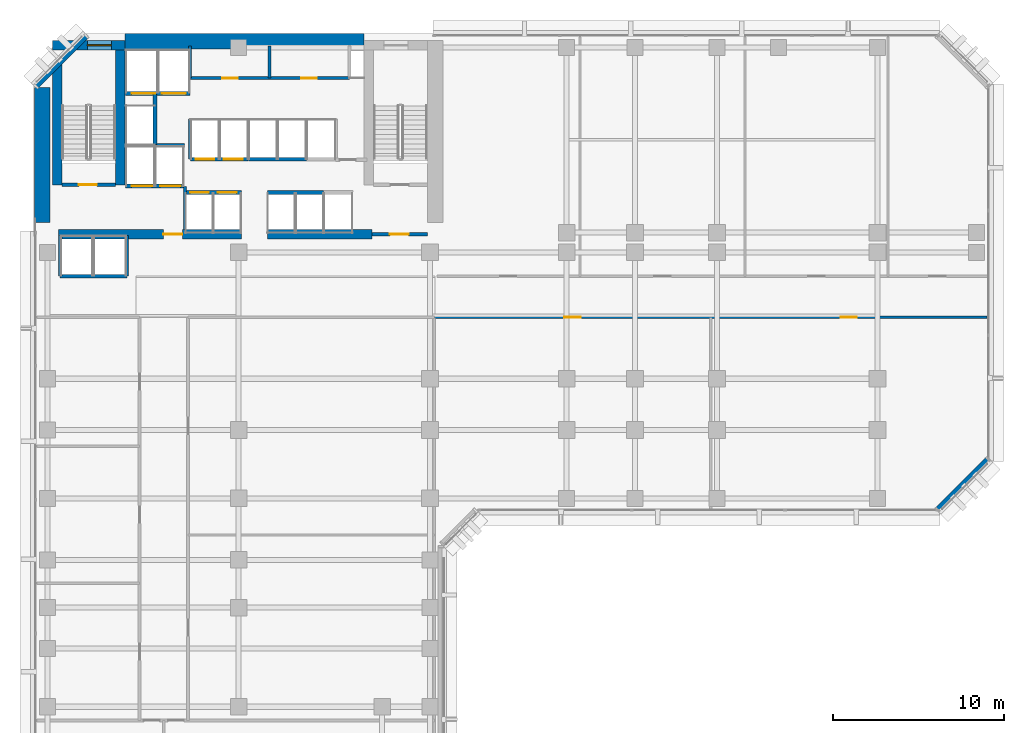
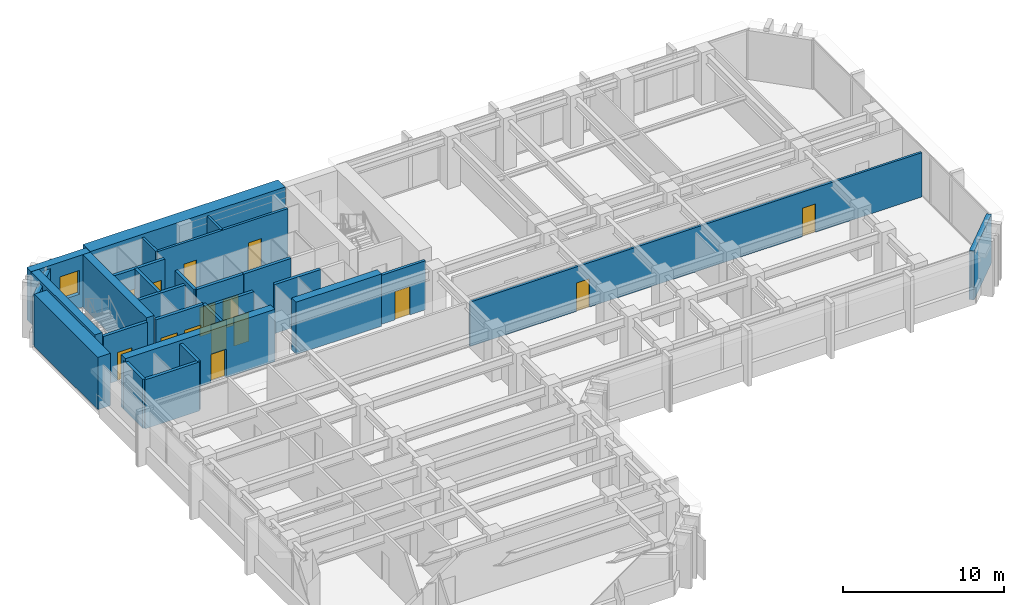
# One storey, part 7 of 13: 28 walls, 15 doors, 1 window, 16 openings.
"""IFC4 building model written with IfcOpenShell, lengths in metres."""

from ifc_helpers import new_model, si_unit, direction, frame, frame_2d, origin, place, context, subcontext, project, spatial, rectangle, extrude, material, layer, layer_set, type_object, element, fill, save


model = new_model("IFC4")

# Units and contexts
model_context = context("Model", 3, precision=1e-05, world=origin(), true_north=direction((0.0, 1.0)))
body_context = subcontext(model_context, "Body", "Model", "MODEL_VIEW")
ifc_project = project(units=[si_unit("LENGTHUNIT", "METRE"), si_unit("AREAUNIT", "SQUARE_METRE"), si_unit("VOLUMEUNIT", "CUBIC_METRE"), si_unit("PLANEANGLEUNIT", "RADIAN"), si_unit("MASSUNIT", "GRAM", prefix="KILO")], contexts=[model_context])

# Site, building, storey
site_placement = place(None, origin())
site = spatial("IfcSite", under=ifc_project, at=site_placement, CompositionType="ELEMENT")
building_placement = place(site_placement, origin())
building = spatial("IfcBuilding", under=site, at=building_placement, Name="Kefirva Bronze Tower", CompositionType="ELEMENT")
storey_placement = place(building_placement, frame((0.0, 0.0, 46.199951171875)))
storey = spatial("IfcBuildingStorey", under=building, at=storey_placement, Name="L10", CompositionType="ELEMENT", Elevation=46.199951171875)

# Wall, opening, door
ifc_material_1 = material(Name="Gypsum fireboard shaftwall")
ifc_layer_1 = layer(ifc_material_1, 0.219970703125, Name="Gypsum fireboard shaftwall")
ifc_layer_set_1 = layer_set([ifc_layer_1], Name="Gypsum fireboard shaftwall")
wall_type_1 = type_object("IfcWallType", Name="Fire-Rated Shaft Enclosure Wall 220mm", PredefinedType="PARTITIONING", material=ifc_layer_set_1)
wall_1_placement = place(storey_placement, frame((1.64990234375, 37.14990234375, 0.0), z_axis=(0.0, 0.0, 1.0), x_axis=(1.0, 0.0, 0.0)))
wall_1 = element("IfcWall", 1, at=wall_1_placement, inside=storey, type_object=wall_type_1, Name="L10 Partition W-L10-ST1S", PredefinedType="PARTITIONING", context=body_context, shape_type="SweptSolid", body=[
    extrude(rectangle(XDim=3.150146484375, YDim=0.219970703125, at=frame_2d((1.5751953125, 0.0))), origin(), (0.0, 0.0, 1.0), 3.7099609375),
])
opening_1_placement = place(wall_1_placement, frame((2.050048828125, 0.0, 0.0), z_axis=(0.0, 0.0, 1.0), x_axis=(-1.0, 0.0, 0.0)))
opening_1 = element("IfcOpeningElement", 2, at=opening_1_placement, cuts=wall_1, Name="Opening L10-D001", PredefinedType="OPENING", context=body_context, shape_type="SweptSolid", body=[
    extrude(rectangle(XDim=1.050048828125, YDim=2.14990234375, at=frame_2d((0.52490234375, 1.074951171875))), frame((0.0, 0.1201171875, 0.0), z_axis=(0.0, -1.0, 0.0), x_axis=(1.0, 0.0, 0.0)), (0.0, 0.0, 1.0), 0.239990234375),
])
ifc_material_2 = material(Name="Painted galvanized steel", Category="steel")
door_type_1 = type_object("IfcDoorType", Name="Fire Stair Enclosure Door 1050x2150 FD90S", OperationType="NOTDEFINED", PredefinedType="DOOR", material=ifc_material_2)
door_1_placement = place(opening_1_placement, origin())
door_1 = element("IfcDoor", 3, at=door_1_placement, inside=storey, type_object=door_type_1, Name="Door L10-D001", OperationType="SINGLE_SWING_RIGHT", OverallHeight=2.14990234375, OverallWidth=1.050048828125, PredefinedType="DOOR", context=body_context, shape_type="SweptSolid", body=[
    extrude(rectangle(XDim=1.050048828125, YDim=2.14990234375, at=frame_2d((0.52490234375, 1.074951171875))), frame((0.0, 0.02490234375, 0.0), z_axis=(0.0, -1.0, 0.0), x_axis=(1.0, 0.0, 0.0)), (0.0, 0.0, 1.0), 0.050048828125),
])
fill(opening_1, door_1)

# Wall, openings, doors
wall_2_placement = place(storey_placement, frame((5.3798828125, 37.080078125, 0.0), z_axis=(0.0, 0.0, 1.0), x_axis=(1.0, 0.0, 0.0)))
wall_2 = element("IfcWall", 4, at=wall_2_placement, inside=storey, type_object=wall_type_1, Name="L10 Partition W-L10-FFS", PredefinedType="PARTITIONING", context=body_context, shape_type="SweptSolid", body=[
    extrude(rectangle(XDim=3.460205078125, YDim=0.219970703125, at=frame_2d((1.72998046875, 0.0))), origin(), (0.0, 0.0, 1.0), 3.7099609375),
])
opening_2_placement = place(wall_2_placement, frame((1.550048828125, 0.0, 0.0), z_axis=(0.0, 0.0, 1.0), x_axis=(-1.0, 0.0, 0.0)))
opening_2 = element("IfcOpeningElement", 5, at=opening_2_placement, cuts=wall_2, Name="Opening L10-LD-FF1", PredefinedType="OPENING", context=body_context, shape_type="SweptSolid", body=[
    extrude(rectangle(XDim=1.199951171875, YDim=2.199951171875, at=frame_2d((0.60009765625, 1.10009765625))), frame((0.0, 0.1201171875, 0.0), z_axis=(0.0, -1.0, 0.0), x_axis=(1.0, 0.0, 0.0)), (0.0, 0.0, 1.0), 0.239990234375),
])
opening_3_placement = place(wall_2_placement, frame((3.219970703125, 0.0, 0.0), z_axis=(0.0, 0.0, 1.0), x_axis=(-1.0, 0.0, 0.0)))
opening_3 = element("IfcOpeningElement", 6, at=opening_3_placement, cuts=wall_2, Name="Opening L10-LD-FF2", PredefinedType="OPENING", context=body_context, shape_type="SweptSolid", body=[
    extrude(rectangle(XDim=1.199951171875, YDim=2.199951171875, at=frame_2d((0.60009765625, 1.10009765625))), frame((0.0, 0.1201171875, 0.0), z_axis=(0.0, -1.0, 0.0), x_axis=(1.0, 0.0, 0.0)), (0.0, 0.0, 1.0), 0.239990234375),
])
ifc_material_3 = material(Name="Stainless steel 316", Category="steel")
door_type_2 = type_object("IfcDoorType", Name="Firefighting Lift Sliding Door 1200x2200", OperationType="SLIDING_TO_RIGHT", PredefinedType="DOOR", material=ifc_material_3)
door_2_placement = place(opening_2_placement, origin())
door_2 = element("IfcDoor", 7, at=door_2_placement, inside=storey, type_object=door_type_2, Name="Door L10-LD-FF1", OperationType="SLIDING_TO_RIGHT", OverallHeight=2.199951171875, OverallWidth=1.199951171875, PredefinedType="DOOR", context=body_context, shape_type="SweptSolid", body=[
    extrude(rectangle(XDim=1.199951171875, YDim=2.199951171875, at=frame_2d((0.60009765625, 1.10009765625))), frame((0.0, 0.02490234375, 0.0), z_axis=(0.0, -1.0, 0.0), x_axis=(1.0, 0.0, 0.0)), (0.0, 0.0, 1.0), 0.050048828125),
])
fill(opening_2, door_2)
door_3_placement = place(opening_3_placement, origin())
door_3 = element("IfcDoor", 8, at=door_3_placement, inside=storey, type_object=door_type_2, Name="Door L10-LD-FF2", OperationType="SLIDING_TO_RIGHT", OverallHeight=2.199951171875, OverallWidth=1.199951171875, PredefinedType="DOOR", context=body_context, shape_type="SweptSolid", body=[
    extrude(rectangle(XDim=1.199951171875, YDim=2.199951171875, at=frame_2d((0.60009765625, 1.10009765625))), frame((0.0, 0.02490234375, 0.0), z_axis=(0.0, -1.0, 0.0), x_axis=(1.0, 0.0, 0.0)), (0.0, 0.0, 1.0), 0.050048828125),
])
fill(opening_3, door_3)

# Wall
wall_3_placement = place(storey_placement, frame((5.3798828125, 39.449951171875, 0.0), z_axis=(0.0, 0.0, 1.0), x_axis=(1.0, 0.0, 0.0)))
element("IfcWall", 9, at=wall_3_placement, inside=storey, type_object=wall_type_1, Name="L10 Partition W-L10-FFN", PredefinedType="PARTITIONING", context=body_context, shape_type="SweptSolid", body=[
    extrude(rectangle(XDim=3.460205078125, YDim=0.219970703125, at=frame_2d((1.72998046875, 0.0))), origin(), (0.0, 0.0, 1.0), 3.7099609375),
])

# Wall, openings, doors
wall_4_placement = place(storey_placement, frame((5.3798828125, 42.5, 0.0), z_axis=(0.0, 0.0, 1.0), x_axis=(1.0, 0.0, 0.0)))
wall_4 = element("IfcWall", 10, at=wall_4_placement, inside=storey, type_object=wall_type_1, Name="L10 Partition W-L10-SVS", PredefinedType="PARTITIONING", context=body_context, shape_type="SweptSolid", body=[
    extrude(rectangle(XDim=3.77001953125, YDim=0.219970703125, at=frame_2d((1.885009765625, 0.0))), origin(), (0.0, 0.0, 1.0), 3.7099609375),
])
opening_4_placement = place(wall_4_placement, frame((1.75, 0.0, 0.0), z_axis=(0.0, 0.0, 1.0), x_axis=(-1.0, 0.0, 0.0)))
opening_4 = element("IfcOpeningElement", 11, at=opening_4_placement, cuts=wall_4, Name="Opening L10-LD-SV1", PredefinedType="OPENING", context=body_context, shape_type="SweptSolid", body=[
    extrude(rectangle(XDim=1.39990234375, YDim=2.199951171875, at=frame_2d((0.699951171875, 1.10009765625))), frame((0.0, 0.1201171875, 0.0), z_axis=(0.0, -1.0, 0.0), x_axis=(1.0, 0.0, 0.0)), (0.0, 0.0, 1.0), 0.239990234375),
])
opening_5_placement = place(wall_4_placement, frame((3.52978515625, 0.0, 0.0), z_axis=(0.0, 0.0, 1.0), x_axis=(-1.0, 0.0, 0.0)))
opening_5 = element("IfcOpeningElement", 12, at=opening_5_placement, cuts=wall_4, Name="Opening L10-LD-SV2", PredefinedType="OPENING", context=body_context, shape_type="SweptSolid", body=[
    extrude(rectangle(XDim=1.39990234375, YDim=2.199951171875, at=frame_2d((0.699951171875, 1.10009765625))), frame((0.0, 0.1201171875, 0.0), z_axis=(0.0, -1.0, 0.0), x_axis=(1.0, 0.0, 0.0)), (0.0, 0.0, 1.0), 0.239990234375),
])
door_type_3 = type_object("IfcDoorType", Name="Goods Lift Bi-Parting Sliding Door 1400x2200", OperationType="SLIDING_TO_LEFT", PredefinedType="DOOR", material=ifc_material_3)
door_4_placement = place(opening_4_placement, origin())
door_4 = element("IfcDoor", 13, at=door_4_placement, inside=storey, type_object=door_type_3, Name="Door L10-LD-SV1", OperationType="SLIDING_TO_LEFT", OverallHeight=2.199951171875, OverallWidth=1.39990234375, PredefinedType="DOOR", context=body_context, shape_type="SweptSolid", body=[
    extrude(rectangle(XDim=1.39990234375, YDim=2.199951171875, at=frame_2d((0.699951171875, 1.10009765625))), frame((0.0, 0.02490234375, 0.0), z_axis=(0.0, -1.0, 0.0), x_axis=(1.0, 0.0, 0.0)), (0.0, 0.0, 1.0), 0.050048828125),
])
fill(opening_4, door_4)
door_5_placement = place(opening_5_placement, origin())
door_5 = element("IfcDoor", 14, at=door_5_placement, inside=storey, type_object=door_type_3, Name="Door L10-LD-SV2", OperationType="SLIDING_TO_LEFT", OverallHeight=2.199951171875, OverallWidth=1.39990234375, PredefinedType="DOOR", context=body_context, shape_type="SweptSolid", body=[
    extrude(rectangle(XDim=1.39990234375, YDim=2.199951171875, at=frame_2d((0.699951171875, 1.10009765625))), frame((0.0, 0.02490234375, 0.0), z_axis=(0.0, -1.0, 0.0), x_axis=(1.0, 0.0, 0.0)), (0.0, 0.0, 1.0), 0.050048828125),
])
fill(opening_5, door_5)

# Walls
wall_5_placement = place(storey_placement, frame((7.10009765625, 39.52001953125, 0.0), z_axis=(0.0, 0.0, 1.0), x_axis=(0.0, 1.0, 0.0)))
element("IfcWall", 15, at=wall_5_placement, inside=storey, type_object=wall_type_1, Name="L10 Partition W-L10-HP3E", PredefinedType="PARTITIONING", context=body_context, shape_type="SweptSolid", body=[
    extrude(rectangle(XDim=2.929931640625, YDim=0.219970703125, at=frame_2d((1.46484375, 0.0))), origin(), (0.0, 0.0, 1.0), 3.7099609375),
])
wall_6_placement = place(storey_placement, frame((1.550048828125, 31.800048828125, 0.0), z_axis=(0.0, 0.0, 1.0), x_axis=(1.0, 0.0, 0.0)))
element("IfcWall", 16, at=wall_6_placement, inside=storey, type_object=wall_type_1, Name="L10 Partition W-L10-OBS", PredefinedType="PARTITIONING", context=body_context, shape_type="SweptSolid", body=[
    extrude(rectangle(XDim=3.89990234375, YDim=0.219970703125, at=frame_2d((1.949951171875, 0.0))), origin(), (0.0, 0.0, 1.0), 3.7099609375),
])
for number, where, z_axis, x_axis, name in (
    (17, (1.550048828125, 31.800048828125, 0.0), (0.0, 0.0, 1.0), (0.0, 1.0, 0.0), "L10 Partition W-L10-OBW"),
    (18, (5.449951171875, 31.800048828125, 0.0), (0.0, 0.0, 1.0), (0.0, 1.0, 0.0), "L10 Partition W-L10-OBE"),
):
    element("IfcWall", number, at=place(storey_placement, frame(where, z_axis=z_axis, x_axis=x_axis)), inside=storey, type_object=wall_type_1, Name=name, PredefinedType="PARTITIONING", context=body_context, shape_type="SweptSolid", body=[
        extrude(rectangle(XDim=2.3798828125, YDim=0.219970703125, at=frame_2d((1.18994140625, 0.0))), origin(), (0.0, 0.0, 1.0), 3.7099609375),
    ])
wall_7_placement = place(storey_placement, frame((9.159912109375, 38.64990234375, 0.0), z_axis=(0.0, 0.0, 1.0), x_axis=(0.0, 1.0, 0.0)))
element("IfcWall", 19, at=wall_7_placement, inside=storey, type_object=wall_type_1, Name="L10 Partition W-L10-LP3W", PredefinedType="PARTITIONING", context=body_context, shape_type="SweptSolid", body=[
    extrude(rectangle(XDim=2.35009765625, YDim=0.199951171875, at=frame_2d((1.175048828125, 0.0))), origin(), (0.0, 0.0, 1.0), 3.7099609375),
])

# Wall, openings, doors
wall_8_placement = place(storey_placement, frame((8.89990234375, 36.699951171875, 0.0), z_axis=(0.0, 0.0, 1.0), x_axis=(1.0, 0.0, 0.0)))
wall_8 = element("IfcWall", 20, at=wall_8_placement, inside=storey, type_object=wall_type_1, Name="L10 Partition W-L10-LPS", PredefinedType="PARTITIONING", context=body_context, shape_type="SweptSolid", body=[
    extrude(rectangle(XDim=3.260009765625, YDim=0.219970703125, at=frame_2d((1.6298828125, 0.0))), origin(), (0.0, 0.0, 1.0), 3.7099609375),
])
opening_6_placement = place(wall_8_placement, frame((0.260009765625, 0.0, 0.0)))
opening_6 = element("IfcOpeningElement", 21, at=opening_6_placement, cuts=wall_8, Name="Opening L10-LD-LP1", PredefinedType="OPENING", context=body_context, shape_type="SweptSolid", body=[
    extrude(rectangle(XDim=1.10009765625, YDim=2.199951171875, at=frame_2d((0.550048828125, 1.10009765625))), frame((0.0, 0.1201171875, 0.0), z_axis=(0.0, -1.0, 0.0), x_axis=(1.0, 0.0, 0.0)), (0.0, 0.0, 1.0), 0.239990234375),
])
opening_7_placement = place(wall_8_placement, frame((1.8798828125, 0.0, 0.0)))
opening_7 = element("IfcOpeningElement", 22, at=opening_7_placement, cuts=wall_8, Name="Opening L10-LD-LP2", PredefinedType="OPENING", context=body_context, shape_type="SweptSolid", body=[
    extrude(rectangle(XDim=1.10009765625, YDim=2.199951171875, at=frame_2d((0.550048828125, 1.10009765625))), frame((0.0, 0.1201171875, 0.0), z_axis=(0.0, -1.0, 0.0), x_axis=(1.0, 0.0, 0.0)), (0.0, 0.0, 1.0), 0.239990234375),
])
door_type_4 = type_object("IfcDoorType", Name="Passenger Lift Sliding Landing Door 1100x2200", OperationType="SLIDING_TO_LEFT", PredefinedType="DOOR", material=ifc_material_3)
door_6_placement = place(opening_6_placement, origin())
door_6 = element("IfcDoor", 23, at=door_6_placement, inside=storey, type_object=door_type_4, Name="Door L10-LD-LP1", OperationType="SLIDING_TO_LEFT", OverallHeight=2.199951171875, OverallWidth=1.10009765625, PredefinedType="DOOR", context=body_context, shape_type="SweptSolid", body=[
    extrude(rectangle(XDim=1.10009765625, YDim=2.199951171875, at=frame_2d((0.550048828125, 1.10009765625))), frame((0.0, 0.02490234375, 0.0), z_axis=(0.0, -1.0, 0.0), x_axis=(1.0, 0.0, 0.0)), (0.0, 0.0, 1.0), 0.050048828125),
])
fill(opening_6, door_6)
door_7_placement = place(opening_7_placement, origin())
door_7 = element("IfcDoor", 24, at=door_7_placement, inside=storey, type_object=door_type_4, Name="Door L10-LD-LP2", OperationType="SLIDING_TO_LEFT", OverallHeight=2.199951171875, OverallWidth=1.10009765625, PredefinedType="DOOR", context=body_context, shape_type="SweptSolid", body=[
    extrude(rectangle(XDim=1.10009765625, YDim=2.199951171875, at=frame_2d((0.550048828125, 1.10009765625))), frame((0.0, 0.02490234375, 0.0), z_axis=(0.0, -1.0, 0.0), x_axis=(1.0, 0.0, 0.0)), (0.0, 0.0, 1.0), 0.050048828125),
])
fill(opening_7, door_7)

wall_9_placement = place(storey_placement, frame((9.179931640625, 38.64990234375, 0.0), z_axis=(0.0, 0.0, 1.0), x_axis=(1.0, 0.0, 0.0)))
wall_9 = element("IfcWall", 25, at=wall_9_placement, inside=storey, type_object=wall_type_1, Name="L10 Partition W-L10-LPN", PredefinedType="PARTITIONING", context=body_context, shape_type="SweptSolid", body=[
    extrude(rectangle(XDim=3.380126953125, YDim=0.219970703125, at=frame_2d((1.68994140625, 0.0))), origin(), (0.0, 0.0, 1.0), 3.7099609375),
])
opening_8_placement = place(wall_9_placement, frame((0.300048828125, 0.0, 0.0)))
opening_8 = element("IfcOpeningElement", 26, at=opening_8_placement, cuts=wall_9, Name="Opening L10-LD-LP3", PredefinedType="OPENING", context=body_context, shape_type="SweptSolid", body=[
    extrude(rectangle(XDim=1.10009765625, YDim=2.199951171875, at=frame_2d((0.550048828125, 1.10009765625))), frame((0.0, 0.1201171875, 0.0), z_axis=(0.0, -1.0, 0.0), x_axis=(1.0, 0.0, 0.0)), (0.0, 0.0, 1.0), 0.239990234375),
])
opening_9_placement = place(wall_9_placement, frame((1.949951171875, 0.0, 0.0)))
opening_9 = element("IfcOpeningElement", 27, at=opening_9_placement, cuts=wall_9, Name="Opening L10-LD-LP4", PredefinedType="OPENING", context=body_context, shape_type="SweptSolid", body=[
    extrude(rectangle(XDim=1.10009765625, YDim=2.199951171875, at=frame_2d((0.550048828125, 1.10009765625))), frame((0.0, 0.1201171875, 0.0), z_axis=(0.0, -1.0, 0.0), x_axis=(1.0, 0.0, 0.0)), (0.0, 0.0, 1.0), 0.239990234375),
])
door_8_placement = place(opening_8_placement, origin())
door_8 = element("IfcDoor", 28, at=door_8_placement, inside=storey, type_object=door_type_4, Name="Door L10-LD-LP3", OperationType="SLIDING_TO_LEFT", OverallHeight=2.199951171875, OverallWidth=1.10009765625, PredefinedType="DOOR", context=body_context, shape_type="SweptSolid", body=[
    extrude(rectangle(XDim=1.10009765625, YDim=2.199951171875, at=frame_2d((0.550048828125, 1.10009765625))), frame((0.0, 0.02490234375, 0.0), z_axis=(0.0, -1.0, 0.0), x_axis=(1.0, 0.0, 0.0)), (0.0, 0.0, 1.0), 0.050048828125),
])
fill(opening_8, door_8)
door_9_placement = place(opening_9_placement, origin())
door_9 = element("IfcDoor", 29, at=door_9_placement, inside=storey, type_object=door_type_4, Name="Door L10-LD-LP4", OperationType="SLIDING_TO_LEFT", OverallHeight=2.199951171875, OverallWidth=1.10009765625, PredefinedType="DOOR", context=body_context, shape_type="SweptSolid", body=[
    extrude(rectangle(XDim=1.10009765625, YDim=2.199951171875, at=frame_2d((0.550048828125, 1.10009765625))), frame((0.0, 0.02490234375, 0.0), z_axis=(0.0, -1.0, 0.0), x_axis=(1.0, 0.0, 0.0)), (0.0, 0.0, 1.0), 0.050048828125),
])
fill(opening_9, door_9)

# Walls
wall_10_placement = place(storey_placement, frame((13.679931640625, 36.699951171875, 0.0), z_axis=(0.0, 0.0, 1.0), x_axis=(1.0, 0.0, 0.0)))
element("IfcWall", 30, at=wall_10_placement, inside=storey, type_object=wall_type_1, Name="L10 Partition W-L10-MPS", PredefinedType="PARTITIONING", context=body_context, shape_type="SweptSolid", body=[
    extrude(rectangle(XDim=3.280029296875, YDim=0.219970703125, at=frame_2d((1.64013671875, 0.0))), origin(), (0.0, 0.0, 1.0), 3.7099609375),
])
wall_11_placement = place(storey_placement, frame((12.580078125, 38.64990234375, 0.0), z_axis=(0.0, 0.0, 1.0), x_axis=(1.0, 0.0, 0.0)))
element("IfcWall", 31, at=wall_11_placement, inside=storey, type_object=wall_type_1, Name="L10 Partition W-L10-MPN", PredefinedType="PARTITIONING", context=body_context, shape_type="SweptSolid", body=[
    extrude(rectangle(XDim=3.3798828125, YDim=0.219970703125, at=frame_2d((1.68994140625, 0.0))), origin(), (0.0, 0.0, 1.0), 3.7099609375),
])
ifc_material_4 = material(Name="Gypsum fireboard barrier")
ifc_layer_2 = layer(ifc_material_4, 0.199951171875, Name="Gypsum fireboard barrier")
ifc_layer_set_2 = layer_set([ifc_layer_2], Name="Gypsum fireboard barrier")
wall_type_2 = type_object("IfcWallType", Name="Firefighting Lobby Barrier Wall 200mm", PredefinedType="PARTITIONING", material=ifc_layer_set_2)
wall_12_placement = place(storey_placement, frame((8.860107421875, 34.550048828125, 0.0), z_axis=(0.0, 0.0, 1.0), x_axis=(0.0, 1.0, 0.0)))
element("IfcWall", 32, at=wall_12_placement, inside=storey, type_object=wall_type_2, Name="L10 Partition W-L10-FFLE", PredefinedType="PARTITIONING", context=body_context, shape_type="SweptSolid", body=[
    extrude(rectangle(XDim=2.5, YDim=0.199951171875, at=frame_2d((1.25, 0.0))), origin(), (0.0, 0.0, 1.0), 3.7099609375),
])

# Wall, opening, door
wall_13_placement = place(storey_placement, frame((19.800048828125, 34.25, 0.0), z_axis=(0.0, 0.0, 1.0), x_axis=(1.0, 0.0, 0.0)))
wall_13 = element("IfcWall", 33, at=wall_13_placement, inside=storey, type_object=wall_type_2, Name="L10 Partition W-L10-ST2F", PredefinedType="PARTITIONING", context=body_context, shape_type="SweptSolid", body=[
    extrude(rectangle(XDim=3.25, YDim=0.199951171875, at=frame_2d((1.625, 0.0))), origin(), (0.0, 0.0, 1.0), 3.7099609375),
])
opening_10_placement = place(wall_13_placement, frame((2.150146484375, 0.0, 0.0), z_axis=(0.0, 0.0, 1.0), x_axis=(-1.0, 0.0, 0.0)))
opening_10 = element("IfcOpeningElement", 34, at=opening_10_placement, cuts=wall_13, Name="Opening L10-D004", PredefinedType="OPENING", context=body_context, shape_type="SweptSolid", body=[
    extrude(rectangle(XDim=1.10009765625, YDim=2.14990234375, at=frame_2d((0.550048828125, 1.074951171875))), frame((0.0, 0.10986328125, 0.0), z_axis=(0.0, -1.0, 0.0), x_axis=(1.0, 0.0, 0.0)), (0.0, 0.0, 1.0), 0.219970703125),
])
door_type_5 = type_object("IfcDoorType", Name="Firefighting Lobby Smoke Door 1100x2150 FD60S", OperationType="NOTDEFINED", PredefinedType="DOOR", material=ifc_material_2)
door_10_placement = place(opening_10_placement, origin())
door_10 = element("IfcDoor", 35, at=door_10_placement, inside=storey, type_object=door_type_5, Name="Door L10-D004", OperationType="SINGLE_SWING_LEFT", OverallHeight=2.14990234375, OverallWidth=1.10009765625, PredefinedType="DOOR", context=body_context, shape_type="SweptSolid", body=[
    extrude(rectangle(XDim=1.10009765625, YDim=2.14990234375, at=frame_2d((0.550048828125, 1.074951171875))), frame((0.0, 0.02490234375, 0.0), z_axis=(0.0, -1.0, 0.0), x_axis=(1.0, 0.0, 0.0)), (0.0, 0.0, 1.0), 0.050048828125),
])
fill(opening_10, door_10)

# Walls
ifc_material_5 = material(Name="Precast concrete C40/50", Category="concrete")
ifc_layer_3 = layer(ifc_material_5, 0.320068359375, Name="Precast concrete C40/50")
ifc_layer_set_3 = layer_set([ifc_layer_3], Name="Precast concrete C40/50")
wall_type_3 = type_object("IfcWallType", Name="Precast Insulated Exterior Wall 320mm", PredefinedType="SOLIDWALL", material=ifc_layer_set_3)
for number, where, z_axis, x_axis, name in (
    (36, (52.92578125, 18.152099609375, 0.0), (0.0, 0.0, 1.0), (0.707106781187, 0.707106781187, 0.0), "L10 Exterior Facade Wall 4"),
    (37, (3.07421875, 45.847900390625, 0.0), (0.0, 0.0, 1.0), (-0.707106781187, -0.707106781187, 0.0), "L10 Exterior Facade Wall 6"),
):
    element("IfcWall", number, at=place(storey_placement, frame(where, z_axis=z_axis, x_axis=x_axis)), inside=storey, type_object=wall_type_3, Name=name, PredefinedType="SOLIDWALL", context=body_context, shape_type="SweptSolid", body=[
        extrude(rectangle(XDim=4.132568359375, YDim=0.320068359375, at=frame_2d((2.06640625, 0.0))), origin(), (0.0, 0.0, 1.0), 3.7099609375),
    ])

# Wall, openings, doors
ifc_material_6 = material(Name="Gypsum acoustic partition")
ifc_layer_4 = layer(ifc_material_6, 0.159912109375, Name="Gypsum acoustic partition")
ifc_layer_set_4 = layer_set([ifc_layer_4], Name="Gypsum acoustic partition")
wall_type_4 = type_object("IfcWallType", Name="Protected Corridor Partition 160mm", PredefinedType="PARTITIONING", material=ifc_layer_set_4)
wall_14_placement = place(storey_placement, frame((23.449951171875, 29.39990234375, 0.0), z_axis=(0.0, 0.0, 1.0), x_axis=(1.0, 0.0, 0.0)))
wall_14 = element("IfcWall", 38, at=wall_14_placement, inside=storey, type_object=wall_type_4, Name="L10 Partition W-L10-EWS", PredefinedType="PARTITIONING", context=body_context, shape_type="SweptSolid", body=[
    extrude(rectangle(XDim=32.360107421875, YDim=0.159912109375, at=frame_2d((16.18017578125, 0.0))), origin(), (0.0, 0.0, 1.0), 3.364990234375),
])
opening_11_placement = place(wall_14_placement, frame((8.56494140625, 0.0, 0.0), z_axis=(0.0, 0.0, 1.0), x_axis=(-1.0, 0.0, 0.0)))
opening_11 = element("IfcOpeningElement", 39, at=opening_11_placement, cuts=wall_14, Name="Opening L10-D-ES1", PredefinedType="OPENING", context=body_context, shape_type="SweptSolid", body=[
    extrude(rectangle(XDim=0.949951171875, YDim=2.14990234375, at=frame_2d((0.47509765625, 1.074951171875))), frame((0.0, 0.08984375, 0.0), z_axis=(0.0, -1.0, 0.0), x_axis=(1.0, 0.0, 0.0)), (0.0, 0.0, 1.0), 0.179931640625),
])
opening_12_placement = place(wall_14_placement, frame((24.744873046875, 0.0, 0.0), z_axis=(0.0, 0.0, 1.0), x_axis=(-1.0, 0.0, 0.0)))
opening_12 = element("IfcOpeningElement", 40, at=opening_12_placement, cuts=wall_14, Name="Opening L10-D-ES2", PredefinedType="OPENING", context=body_context, shape_type="SweptSolid", body=[
    extrude(rectangle(XDim=0.949951171875, YDim=2.14990234375, at=frame_2d((0.47509765625, 1.074951171875))), frame((0.0, 0.08984375, 0.0), z_axis=(0.0, -1.0, 0.0), x_axis=(1.0, 0.0, 0.0)), (0.0, 0.0, 1.0), 0.179931640625),
])
ifc_material_7 = material(Name="Acoustic hardwood oak", Category="wood")
door_type_6 = type_object("IfcDoorType", Name="Office & Meeting Room Door 950x2150", OperationType="NOTDEFINED", PredefinedType="DOOR", material=ifc_material_7)
door_11_placement = place(opening_11_placement, origin())
door_11 = element("IfcDoor", 41, at=door_11_placement, inside=storey, type_object=door_type_6, Name="Door L10-D-ES1", OperationType="SINGLE_SWING_RIGHT", OverallHeight=2.14990234375, OverallWidth=0.949951171875, PredefinedType="DOOR", context=body_context, shape_type="SweptSolid", body=[
    extrude(rectangle(XDim=0.949951171875, YDim=2.14990234375, at=frame_2d((0.47509765625, 1.074951171875))), frame((0.0, 0.02490234375, 0.0), z_axis=(0.0, -1.0, 0.0), x_axis=(1.0, 0.0, 0.0)), (0.0, 0.0, 1.0), 0.050048828125),
])
fill(opening_11, door_11)
door_12_placement = place(opening_12_placement, origin())
door_12 = element("IfcDoor", 42, at=door_12_placement, inside=storey, type_object=door_type_6, Name="Door L10-D-ES2", OperationType="SINGLE_SWING_LEFT", OverallHeight=2.14990234375, OverallWidth=0.949951171875, PredefinedType="DOOR", context=body_context, shape_type="SweptSolid", body=[
    extrude(rectangle(XDim=0.949951171875, YDim=2.14990234375, at=frame_2d((0.47509765625, 1.074951171875))), frame((0.0, 0.02490234375, 0.0), z_axis=(0.0, -1.0, 0.0), x_axis=(1.0, 0.0, 0.0)), (0.0, 0.0, 1.0), 0.050048828125),
])
fill(opening_12, door_12)

# Wall, opening, window
ifc_material_8 = material(Name="Concrete C50/60", Category="concrete")
ifc_layer_5 = layer(ifc_material_8, 0.550048828125, Name="Concrete C50/60")
ifc_layer_set_5 = layer_set([ifc_layer_5], Name="Concrete C50/60")
wall_type_5 = type_object("IfcWallType", Name="RC Rear Core Exterior Wall 550mm", PredefinedType="SHEAR", material=ifc_layer_set_5)
wall_15_placement = place(storey_placement, frame((1.10009765625, 45.320068359375, 0.0), z_axis=(0.0, 0.0, 1.0), x_axis=(1.0, 0.0, 0.0)))
wall_15 = element("IfcWall", 43, at=wall_15_placement, inside=storey, type_object=wall_type_5, Name="L10 Stair 1 North Shear Wall", PredefinedType="SHEAR", context=body_context, shape_type="SweptSolid", body=[
    extrude(rectangle(XDim=4.239990234375, YDim=0.550048828125, at=frame_2d((2.1201171875, 0.0))), origin(), (0.0, 0.0, 1.0), 3.9599609375),
])
opening_13_placement = place(wall_15_placement, frame((2.050048828125, 0.0, 1.050048828125)))
opening_13 = element("IfcOpeningElement", 44, at=opening_13_placement, cuts=wall_15, Name="Opening WN-03", PredefinedType="OPENING", context=body_context, shape_type="SweptSolid", body=[
    extrude(rectangle(XDim=1.39990234375, YDim=1.800048828125, at=frame_2d((0.699951171875, 0.89990234375))), frame((0.0, 0.28515625, 0.0), z_axis=(0.0, -1.0, 0.0), x_axis=(1.0, 0.0, 0.0)), (0.0, 0.0, 1.0), 0.570068359375),
])
ifc_material_9 = material(Name="Laminated low-E double glazing", Category="glass")
window_type = type_object("IfcWindowType", Name="Rear-Core Stair Daylight Window 1400x1800", PartitioningType="SINGLE_PANEL", PredefinedType="WINDOW", material=ifc_material_9)
window_placement = place(opening_13_placement, origin())
window = element("IfcWindow", 45, at=window_placement, inside=storey, type_object=window_type, Name="L10 Stair 1 Daylight Window", OverallHeight=1.800048828125, OverallWidth=1.39990234375, PartitioningType="SINGLE_PANEL", PredefinedType="WINDOW", context=body_context, shape_type="SweptSolid", body=[
    extrude(rectangle(XDim=1.39990234375, YDim=1.800048828125, at=frame_2d((0.699951171875, 0.89990234375))), frame((0.0, 0.030029296875, 0.0), z_axis=(0.0, -1.0, 0.0), x_axis=(1.0, 0.0, 0.0)), (0.0, 0.0, 1.0), 0.06005859375),
])
fill(opening_13, window)

# Walls
ifc_material_10 = material(Name="Concrete C60/75", Category="concrete")
ifc_layer_6 = layer(ifc_material_10, 0.89990234375, Name="Concrete C60/75")
ifc_layer_set_6 = layer_set([ifc_layer_6], Name="Concrete C60/75")
wall_type_6 = type_object("IfcWallType", Name="RC Rear Core Exterior Wall 900mm", PredefinedType="SHEAR", material=ifc_layer_set_6)
wall_16_placement = place(storey_placement, frame((5.360107421875, 45.550048828125, 0.0), z_axis=(0.0, 0.0, 1.0), x_axis=(1.0, 0.0, 0.0)))
element("IfcWall", 46, at=wall_16_placement, inside=storey, type_object=wall_type_6, Name="L10 Rear Core North Shear Wall", PredefinedType="SHEAR", context=body_context, shape_type="SweptSolid", body=[
    extrude(rectangle(XDim=13.97998046875, YDim=0.89990234375, at=frame_2d((6.989990234375, 0.0))), origin(), (0.0, 0.0, 1.0), 3.9599609375),
])
wall_17_placement = place(storey_placement, frame((0.5, 34.949951171875, 0.0), z_axis=(0.0, 0.0, 1.0), x_axis=(0.0, 1.0, 0.0)))
element("IfcWall", 47, at=wall_17_placement, inside=storey, type_object=wall_type_6, Name="L10 Rear Core West Shear Wall", PredefinedType="SHEAR", context=body_context, shape_type="SweptSolid", body=[
    extrude(rectangle(XDim=7.900146484375, YDim=0.89990234375, at=frame_2d((3.9501953125, 0.0))), origin(), (0.0, 0.0, 1.0), 3.9599609375),
])
ifc_layer_7 = layer(ifc_material_8, 0.550048828125, Name="Concrete C50/60")
ifc_layer_set_7 = layer_set([ifc_layer_7], Name="Concrete C50/60")
wall_type_7 = type_object("IfcWallType", Name="RC Rear Core Interior Wall 550mm", PredefinedType="SHEAR", material=ifc_layer_set_7)
for number, where, z_axis, x_axis, name in (
    (48, (1.3701171875, 37.14990234375, 0.0), (0.0, 0.0, 1.0), (0.0, 1.0, 0.0), "L10 Stair 1 West Shear Wall"),
    (49, (5.070068359375, 37.14990234375, 0.0), (0.0, 0.0, 1.0), (0.0, 1.0, 0.0), "L10 Stair 1 East Shear Wall"),
):
    element("IfcWall", number, at=place(storey_placement, frame(where, z_axis=z_axis, x_axis=x_axis)), inside=storey, type_object=wall_type_7, Name=name, PredefinedType="SHEAR", context=body_context, shape_type="SweptSolid", body=[
        extrude(rectangle(XDim=7.89013671875, YDim=0.550048828125, at=frame_2d((3.945068359375, 0.0))), origin(), (0.0, 0.0, 1.0), 3.9599609375),
    ])

# Wall, opening, door
ifc_layer_8 = layer(ifc_material_10, 0.89990234375, Name="Concrete C60/75")
ifc_layer_set_8 = layer_set([ifc_layer_8], Name="Concrete C60/75")
wall_type_8 = type_object("IfcWallType", Name="RC Rear Core Interior Wall 900mm", PredefinedType="SHEAR", material=ifc_layer_set_8)
wall_18_placement = place(storey_placement, frame((1.449951171875, 34.25, 0.0), z_axis=(0.0, 0.0, 1.0), x_axis=(1.0, 0.0, 0.0)))
wall_18 = element("IfcWall", 50, at=wall_18_placement, inside=storey, type_object=wall_type_8, Name="L10 Rear Core South-West Shear Wall", PredefinedType="SHEAR", context=body_context, shape_type="SweptSolid", body=[
    extrude(rectangle(XDim=10.7099609375, YDim=0.550048828125, at=frame_2d((5.35498046875, 0.0))), origin(), (0.0, 0.0, 1.0), 3.9599609375),
])
opening_14_placement = place(wall_18_placement, frame((7.25, 0.0, 0.0), z_axis=(0.0, 0.0, 1.0), x_axis=(-1.0, 0.0, 0.0)))
opening_14 = element("IfcOpeningElement", 51, at=opening_14_placement, cuts=wall_18, Name="Opening L10-D002", PredefinedType="OPENING", context=body_context, shape_type="SweptSolid", body=[
    extrude(rectangle(XDim=1.10009765625, YDim=2.14990234375, at=frame_2d((0.550048828125, 1.074951171875))), frame((0.0, 0.28515625, 0.0), z_axis=(0.0, -1.0, 0.0), x_axis=(1.0, 0.0, 0.0)), (0.0, 0.0, 1.0), 0.570068359375),
])
door_13_placement = place(opening_14_placement, origin())
door_13 = element("IfcDoor", 52, at=door_13_placement, inside=storey, type_object=door_type_5, Name="Door L10-D002", OperationType="SINGLE_SWING_LEFT", OverallHeight=2.14990234375, OverallWidth=1.10009765625, PredefinedType="DOOR", context=body_context, shape_type="SweptSolid", body=[
    extrude(rectangle(XDim=1.10009765625, YDim=2.14990234375, at=frame_2d((0.550048828125, 1.074951171875))), frame((0.0, 0.02490234375, 0.0), z_axis=(0.0, -1.0, 0.0), x_axis=(1.0, 0.0, 0.0)), (0.0, 0.0, 1.0), 0.050048828125),
])
fill(opening_14, door_13)

# Wall
wall_19_placement = place(storey_placement, frame((13.679931640625, 34.25, 0.0), z_axis=(0.0, 0.0, 1.0), x_axis=(1.0, 0.0, 0.0)))
element("IfcWall", 53, at=wall_19_placement, inside=storey, type_object=wall_type_8, Name="L10 Rear Core South-East Shear Wall", PredefinedType="SHEAR", context=body_context, shape_type="SweptSolid", body=[
    extrude(rectangle(XDim=6.1201171875, YDim=0.550048828125, at=frame_2d((3.06005859375, 0.0))), origin(), (0.0, 0.0, 1.0), 3.9599609375),
])

# Wall, openings, doors
ifc_material_11 = material(Name="Moisture-resistant partition")
ifc_layer_9 = layer(ifc_material_11, 0.179931640625, Name="Moisture-resistant partition")
ifc_layer_set_9 = layer_set([ifc_layer_9], Name="Moisture-resistant partition")
wall_type_9 = type_object("IfcWallType", Name="Sanitary Plumbing Chase Wall 180mm", PredefinedType="PLUMBINGWALL", material=ifc_layer_set_9)
wall_20_placement = place(storey_placement, frame((9.14990234375, 43.39990234375, 0.0), z_axis=(0.0, 0.0, 1.0), x_axis=(1.0, 0.0, 0.0)))
wall_20 = element("IfcWall", 54, at=wall_20_placement, inside=storey, type_object=wall_type_9, Name="L10 Partition W-L10-SVCS", PredefinedType="PLUMBINGWALL", context=body_context, shape_type="SweptSolid", body=[
    extrude(rectangle(XDim=9.330078125, YDim=0.179931640625, at=frame_2d((4.6650390625, 0.0))), origin(), (0.0, 0.0, 1.0), 3.7099609375),
])
opening_15_placement = place(wall_20_placement, frame((1.8798828125, 0.0, 0.0)))
opening_15 = element("IfcOpeningElement", 55, at=opening_15_placement, cuts=wall_20, Name="Opening L10-D-CSVC1", PredefinedType="OPENING", context=body_context, shape_type="SweptSolid", body=[
    extrude(rectangle(XDim=0.919921875, YDim=2.10009765625, at=frame_2d((0.4599609375, 1.050048828125))), frame((0.0, 0.10009765625, 0.0), z_axis=(0.0, -1.0, 0.0), x_axis=(1.0, 0.0, 0.0)), (0.0, 0.0, 1.0), 0.199951171875),
])
opening_16_placement = place(wall_20_placement, frame((6.514892578125, 0.0, 0.0)))
opening_16 = element("IfcOpeningElement", 56, at=opening_16_placement, cuts=wall_20, Name="Opening L10-D-CSVC2", PredefinedType="OPENING", context=body_context, shape_type="SweptSolid", body=[
    extrude(rectangle(XDim=0.919921875, YDim=2.10009765625, at=frame_2d((0.4599609375, 1.050048828125))), frame((0.0, 0.10009765625, 0.0), z_axis=(0.0, -1.0, 0.0), x_axis=(1.0, 0.0, 0.0)), (0.0, 0.0, 1.0), 0.199951171875),
])
ifc_material_12 = material(Name="Moisture-resistant timber", Category="wood")
door_type_7 = type_object("IfcDoorType", Name="Accessible Sanitary & WC Door 920x2100", OperationType="NOTDEFINED", PredefinedType="DOOR", material=ifc_material_12)
door_14_placement = place(opening_15_placement, origin())
door_14 = element("IfcDoor", 57, at=door_14_placement, inside=storey, type_object=door_type_7, Name="Door L10-D-CSVC1", OperationType="SINGLE_SWING_LEFT", OverallHeight=2.10009765625, OverallWidth=0.919921875, PredefinedType="DOOR", context=body_context, shape_type="SweptSolid", body=[
    extrude(rectangle(XDim=0.919921875, YDim=2.10009765625, at=frame_2d((0.4599609375, 1.050048828125))), frame((0.0, 0.02490234375, 0.0), z_axis=(0.0, -1.0, 0.0), x_axis=(1.0, 0.0, 0.0)), (0.0, 0.0, 1.0), 0.050048828125),
])
fill(opening_15, door_14)
door_15_placement = place(opening_16_placement, origin())
door_15 = element("IfcDoor", 58, at=door_15_placement, inside=storey, type_object=door_type_7, Name="Door L10-D-CSVC2", OperationType="SINGLE_SWING_RIGHT", OverallHeight=2.10009765625, OverallWidth=0.919921875, PredefinedType="DOOR", context=body_context, shape_type="SweptSolid", body=[
    extrude(rectangle(XDim=0.919921875, YDim=2.10009765625, at=frame_2d((0.4599609375, 1.050048828125))), frame((0.0, 0.02490234375, 0.0), z_axis=(0.0, -1.0, 0.0), x_axis=(1.0, 0.0, 0.0)), (0.0, 0.0, 1.0), 0.050048828125),
])
fill(opening_16, door_15)

# Walls
for number, where, z_axis, x_axis, name in (
    (59, (9.14990234375, 43.39990234375, 0.0), (0.0, 0.0, 1.0), (0.0, 1.0, 0.0), "L10 Partition W-L10-SVCW"),
    (60, (13.800048828125, 43.39990234375, 0.0), (0.0, 0.0, 1.0), (0.0, 1.0, 0.0), "L10 Partition W-L10-CSVD-1"),
):
    element("IfcWall", number, at=place(storey_placement, frame(where, z_axis=z_axis, x_axis=x_axis)), inside=storey, type_object=wall_type_9, Name=name, PredefinedType="PLUMBINGWALL", context=body_context, shape_type="SweptSolid", body=[
        extrude(rectangle(XDim=1.880126953125, YDim=0.179931640625, at=frame_2d((0.93994140625, 0.0))), origin(), (0.0, 0.0, 1.0), 3.7099609375),
    ])

save(model, "model.ifc")
